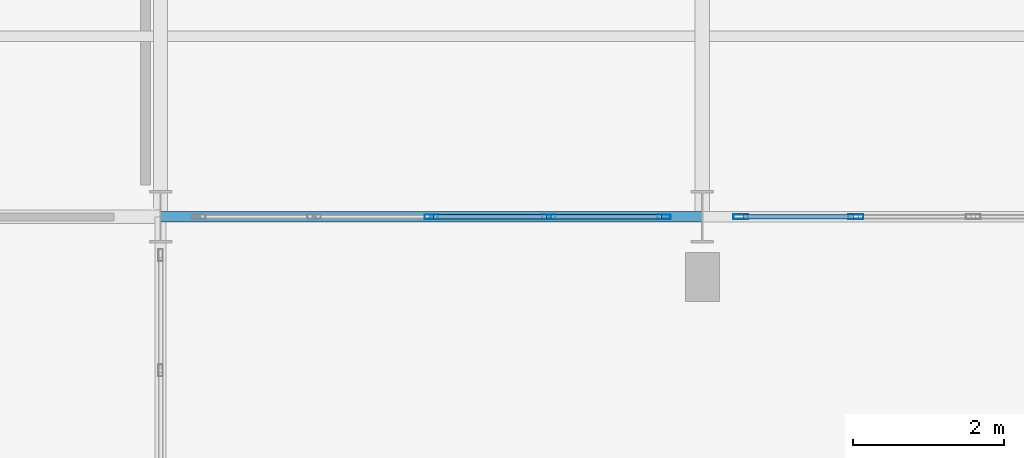
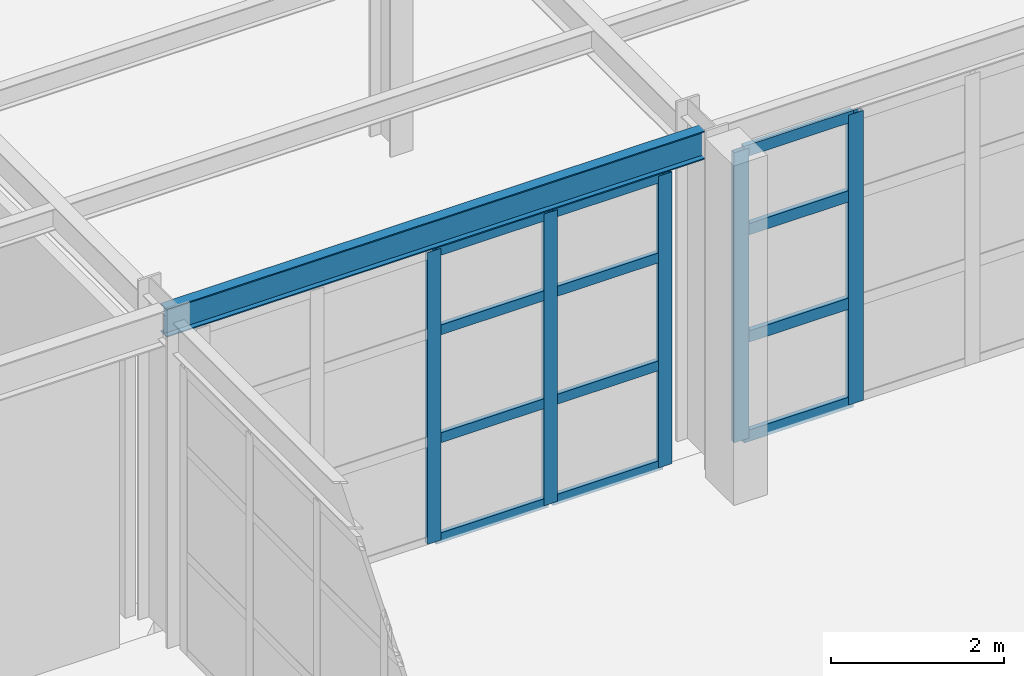
# One storey, part 24 of 83: 17 members, 1 beam, 2 elements without a shape of their own.
"""IFC4 building model written with IfcOpenShell, lengths in metres."""

import ifcopenshell
import ifcopenshell.guid

model = None  # the IFC model being written
_history = None  # IfcOwnerHistory: only IFC2X3 demands one
_inside = {}  # id of a spatial element -> (the spatial element, [elements in it])
_under = {}  # id of a project, library or spatial element -> (it, [spatial elements below it])
_declared = {}  # id of a project -> (the project, [libraries it declares])
_typed = {}  # id of a type object -> (the type object, [elements of that type])
_made_of = {}  # id of a material, layer set ... -> (it, [elements and type objects made of it])


def new_model(schema):
    """Start an empty IFC model of exactly this schema.

    Asked for "IFC4X3", IfcOpenShell would pick the latest addendum, in which some entities
    have other attributes; the version numbers below select the first issue.
    IFC2X3 requires an IfcOwnerHistory on every rooted entity: one is made here for all.
    """
    global model, _history
    if schema == "IFC4X3":
        model = ifcopenshell.file(schema_version=(4, 3, 0, 0))
    else:
        model = ifcopenshell.file(schema=schema)
    _inside.clear()
    _under.clear()
    _declared.clear()
    _typed.clear()
    _made_of.clear()
    _history = None
    if model.schema == "IFC2X3":
        org = make("IfcOrganization", Name="unknown")
        user = make(
            "IfcPersonAndOrganization",
            ThePerson=make("IfcPerson", FamilyName="unknown"),
            TheOrganization=org,
        )
        app = make(
            "IfcApplication",
            ApplicationDeveloper=org,
            Version="unknown",
            ApplicationFullName="unknown",
            ApplicationIdentifier="unknown",
        )
        _history = make(
            "IfcOwnerHistory",
            OwningUser=user,
            OwningApplication=app,
            ChangeAction="ADDED",
            CreationDate=0,
        )
    return model


def make(cls, **values):
    """One entity of the class cls with the attributes given. An attribute that is None is left unset."""
    return model.create_entity(
        cls, **{name: value for name, value in values.items() if value is not None}
    )


def rooted(cls, **values):
    """An entity with a GlobalId (a new one), such as an element, a storey or a relation."""
    return make(cls, GlobalId=ifcopenshell.guid.new(), OwnerHistory=_history, **values)


def si_unit(unit_type, name, prefix=None):
    """IfcSIUnit, for example si_unit("LENGTHUNIT", "METRE", prefix="MILLI")."""
    return make("IfcSIUnit", UnitType=unit_type, Prefix=prefix, Name=name)


def assignment(units):
    """IfcUnitAssignment: the units of a project."""
    return None if units is None else make("IfcUnitAssignment", Units=units)


def point(xyz):
    """IfcCartesianPoint."""
    return None if xyz is None else make("IfcCartesianPoint", Coordinates=xyz)


def direction(xyz):
    """IfcDirection."""
    return None if xyz is None else make("IfcDirection", DirectionRatios=xyz)


def frame(location, z_axis=None, x_axis=None):
    """IfcAxis2Placement3D, a coordinate frame: its origin and axes. An axis left out is left unset."""
    return make(
        "IfcAxis2Placement3D",
        Location=point(location),
        Axis=direction(z_axis),
        RefDirection=direction(x_axis),
    )


def frame_2d(location, x_axis=None):
    """IfcAxis2Placement2D, a coordinate frame in the plane: its origin and x axis."""
    return make(
        "IfcAxis2Placement2D", Location=point(location), RefDirection=direction(x_axis)
    )


def origin():
    """The frame at (0, 0, 0) with its axes left unset."""
    return frame((0.0, 0.0, 0.0))


def origin_2d():
    """The frame at (0, 0) in the plane with its x axis left unset."""
    return frame_2d((0.0, 0.0))


def place(relative_to, where):
    """IfcLocalPlacement: puts the frame where relative to a parent placement (None: the world)."""
    return make(
        "IfcLocalPlacement", PlacementRelTo=relative_to, RelativePlacement=where
    )


def context(
    kind, dimensions, precision=None, world=None, true_north=None, identifier=None
):
    """IfcGeometricRepresentationContext, for example the 3D "Model" context."""
    return make(
        "IfcGeometricRepresentationContext",
        ContextIdentifier=identifier,
        ContextType=kind,
        CoordinateSpaceDimension=dimensions,
        Precision=precision,
        WorldCoordinateSystem=world,
        TrueNorth=true_north,
    )


def subcontext(parent, identifier, kind, view, scale=None):
    """IfcGeometricRepresentationSubContext, for example "Body" below "Model"."""
    return make(
        "IfcGeometricRepresentationSubContext",
        ContextIdentifier=identifier,
        ContextType=kind,
        ParentContext=parent,
        TargetScale=scale,
        TargetView=view,
    )


def project(units=None, contexts=None):
    """IfcProject with its units and contexts."""
    return rooted(
        "IfcProject",
        Name="project",
        RepresentationContexts=contexts,
        UnitsInContext=assignment(units),
    )


def spatial(cls, under=None, at=None, **own):
    """A site, building, storey or space (cls), placed at a placement, below another one or the project."""
    s = rooted(cls, ObjectPlacement=at, **own)
    if under is not None:
        _under.setdefault(under.id(), (under, []))[1].append(s)
    return s


def profile(cls, at=None, kind="AREA", **sizes):
    """A parametric profile (cls). Its sizes go by their IFC names, for example OverallWidth=200.0."""
    return make(cls, ProfileType=kind, Position=at, **sizes)


def hollow_rectangle(**sizes):
    """IfcRectangleHollowProfileDef."""
    return profile("IfcRectangleHollowProfileDef", **sizes)


def i_section(**sizes):
    """IfcIShapeProfileDef."""
    return profile("IfcIShapeProfileDef", **sizes)


def extrude(swept, where, along, depth):
    """IfcExtrudedAreaSolid: the profile swept, set in the frame where, extruded along a direction by depth."""
    return make(
        "IfcExtrudedAreaSolid",
        SweptArea=swept,
        Position=where,
        ExtrudedDirection=direction(along),
        Depth=depth,
    )


def shape(context_of_items, identifier, shape_type, items):
    """IfcShapeRepresentation: the items that make up one representation, for example the "Body"."""
    return make(
        "IfcShapeRepresentation",
        ContextOfItems=context_of_items,
        RepresentationIdentifier=identifier,
        RepresentationType=shape_type,
        Items=items,
    )


def material(Name=None, Category=None):
    """IfcMaterial."""
    return make("IfcMaterial", Name=Name, Category=Category)


def layer(
    of_material, thickness, ventilated=None, Name=None, Category=None, Priority=None
):
    """IfcMaterialLayer: one layer of a wall or slab, of a material (None: an air gap)."""
    return make(
        "IfcMaterialLayer",
        Material=of_material,
        LayerThickness=thickness,
        IsVentilated=ventilated,
        Name=Name,
        Category=Category,
        Priority=Priority,
    )


def layer_set(layers, Name=None):
    """IfcMaterialLayerSet."""
    return make("IfcMaterialLayerSet", MaterialLayers=layers, LayerSetName=Name)


def material_profile(
    of_material, cross_section, Name=None, Category=None, Priority=None
):
    """IfcMaterialProfile: a cross section and its material."""
    return make(
        "IfcMaterialProfile",
        Name=Name,
        Material=of_material,
        Profile=cross_section,
        Priority=Priority,
        Category=Category,
    )


def profile_set(profiles, Name=None, composite=None):
    """IfcMaterialProfileSet."""
    return make(
        "IfcMaterialProfileSet",
        Name=Name,
        MaterialProfiles=profiles,
        CompositeProfile=composite,
    )


def made_of(thing, what):
    """Note that an element or type object is made of a material, layer set ...; save() writes the relation."""
    if what is not None:
        _made_of.setdefault(what.id(), (what, []))[1].append(thing)
    return thing


def type_object(cls, material=None, **own):
    """A type object (cls), such as IfcWallType, which elements share."""
    return made_of(rooted(cls, **own), material)


def element(
    cls,
    number,
    at=None,
    inside=None,
    cuts=None,
    type_object=None,
    material=None,
    context=None,
    identifier="Body",
    shape_type=None,
    held_by="IfcProductDefinitionShape",
    body=None,
    shapes=None,
    **own,
):
    """One element of the class cls, such as IfcWall. Its Tag is "e" and its number.

    at: its placement. inside: the storey or other place that contains it. cuts: it is an
    opening in that element (IfcRelVoidsElement). A single representation is given by context,
    identifier, shape_type and body (its items); several are given by shapes. held_by: the class
    of the entity that holds the representations. save() writes the other relations.
    """
    e = rooted(cls, Tag="e%d" % number, ObjectPlacement=at, **own)
    if body is not None:
        shapes = [shape(context, identifier, shape_type, body)]
    if shapes is not None:
        e.Representation = make(held_by, Representations=shapes)
    if inside is not None:
        _inside.setdefault(inside.id(), (inside, []))[1].append(e)
    if cuts is not None:
        rooted(
            "IfcRelVoidsElement", RelatingBuildingElement=cuts, RelatedOpeningElement=e
        )
    if type_object is not None:
        _typed.setdefault(type_object.id(), (type_object, []))[1].append(e)
    return made_of(e, material)


def aggregate(whole, parts):
    """IfcRelAggregates: a whole, such as a stair, and the parts it consists of."""
    return rooted("IfcRelAggregates", RelatingObject=whole, RelatedObjects=parts)


def save(model, path):
    """Write the relations noted so far, then the file.

    IfcRelAggregates (storeys below a building ...), IfcRelContainedInSpatialStructure (elements
    in a storey), IfcRelDefinesByType, IfcRelAssociatesMaterial and IfcRelDeclares: one each for
    every whole, place, type object, material and project.
    """
    for whole, parts in _under.values():
        aggregate(whole, parts)
    for where, things in _inside.values():
        rooted(
            "IfcRelContainedInSpatialStructure",
            RelatedElements=things,
            RelatingStructure=where,
        )
    for kind, things in _typed.values():
        rooted("IfcRelDefinesByType", RelatedObjects=things, RelatingType=kind)
    for what, things in _made_of.values():
        rooted("IfcRelAssociatesMaterial", RelatedObjects=things, RelatingMaterial=what)
    for by, libraries in _declared.values():
        rooted("IfcRelDeclares", RelatingContext=by, RelatedDefinitions=libraries)
    model.write(path)


model = new_model("IFC4")

# Units and contexts
model_context = context("Model", 3, precision=1e-05, world=origin(), true_north=direction((0.0, 1.0)))
body_context = subcontext(model_context, "Body", "Model", "MODEL_VIEW")
ifc_project = project(units=[si_unit("LENGTHUNIT", "METRE"), si_unit("AREAUNIT", "SQUARE_METRE"), si_unit("VOLUMEUNIT", "CUBIC_METRE"), si_unit("PLANEANGLEUNIT", "RADIAN"), si_unit("MASSUNIT", "GRAM", prefix="KILO")], contexts=[model_context])

# Site, building, storey
site_placement = place(None, origin())
site = spatial("IfcSite", under=ifc_project, at=site_placement, CompositionType="ELEMENT")
building_placement = place(site_placement, origin())
building = spatial("IfcBuilding", under=site, at=building_placement, Name="Solvadek Multi-Sports Hall", CompositionType="ELEMENT")
storey_placement = place(building_placement, origin())
storey = spatial("IfcBuildingStorey", under=building, at=storey_placement, Name="L00", CompositionType="ELEMENT", Elevation=0.0)

# Curtain wall, members
ifc_material_1 = material(Name="Anodised aluminium", Category="aluminium")
ifc_layer_1 = layer(ifc_material_1, 0.159912109375, Name="Anodised aluminium")
ifc_layer_set_1 = layer_set([ifc_layer_1], Name="Anodised aluminium")
curtain_wall_type_1 = type_object("IfcCurtainWallType", Name="ENV-CW-624X412", PredefinedType="USERDEFINED", material=ifc_layer_set_1)
curtain_wall_1_placement = place(storey_placement, origin())
curtain_wall_1 = element("IfcCurtainWall", 1, at=curtain_wall_1_placement, inside=storey, type_object=curtain_wall_type_1, Name="L00 Perimeter Bay Curtain Wall #155", ObjectType="CURTAIN WALL", PredefinedType="USERDEFINED")
ifc_material_profile_1 = material_profile(ifc_material_1, hollow_rectangle(XDim=0.06005859375, YDim=0.179931640625, WallThickness=0.00390625, at=origin_2d()), Name="ALU-M 180x60x4")
ifc_profile_set_1 = profile_set([ifc_material_profile_1], Name="Anodised aluminium")
member_type_1 = type_object("IfcMemberType", Name="ENV-CWM-02", PredefinedType="MULLION", material=ifc_profile_set_1)
member_1_placement = place(storey_placement, frame((25.199951171875, 49.199951171875, 0.0), z_axis=(0.0, 0.0, 1.0), x_axis=(0.0, 1.0, 0.0)))
member_1 = element("IfcMember", 2, at=member_1_placement, type_object=member_type_1, Name="CW-38 mullion 3", PredefinedType="MULLION", context=body_context, shape_type="SweptSolid", body=[
    extrude(hollow_rectangle(XDim=0.06005859375, YDim=0.179931640625, WallThickness=0.00390625, at=origin_2d()), origin(), (0.0, 0.0, 1.0), 4.125),
])
member_2_placement = place(storey_placement, frame((26.760009765625, 49.199951171875, 0.0), z_axis=(0.0, 0.0, 1.0), x_axis=(0.0, 1.0, 0.0)))
member_2 = element("IfcMember", 3, at=member_2_placement, type_object=member_type_1, Name="CW-38 mullion 4", PredefinedType="MULLION", context=body_context, shape_type="SweptSolid", body=[
    extrude(hollow_rectangle(XDim=0.06005859375, YDim=0.179931640625, WallThickness=0.00390625, at=origin_2d()), origin(), (0.0, 0.0, 1.0), 4.125),
])
member_3_placement = place(storey_placement, frame((28.2900390625, 49.199951171875, 0.0), z_axis=(0.0, 0.0, 1.0), x_axis=(0.0, 1.0, 0.0)))
member_3 = element("IfcMember", 4, at=member_3_placement, type_object=member_type_1, Name="CW-38 mullion 5", PredefinedType="MULLION", context=body_context, shape_type="SweptSolid", body=[
    extrude(hollow_rectangle(XDim=0.06005859375, YDim=0.179931640625, WallThickness=0.00390625, at=origin_2d()), origin(), (0.0, 0.0, 1.0), 4.125),
])

ifc_layer_2 = layer(ifc_material_1, 0.159912109375, Name="Anodised aluminium")
ifc_layer_set_2 = layer_set([ifc_layer_2], Name="Anodised aluminium")
curtain_wall_type_2 = type_object("IfcCurtainWallType", Name="ENV-CW-624X410", PredefinedType="USERDEFINED", material=ifc_layer_set_2)
curtain_wall_2_placement = place(storey_placement, origin())
curtain_wall_2 = element("IfcCurtainWall", 5, at=curtain_wall_2_placement, inside=storey, type_object=curtain_wall_type_2, Name="L00 Perimeter Bay Curtain Wall #161", ObjectType="CURTAIN WALL", PredefinedType="USERDEFINED")
ifc_material_profile_2 = material_profile(ifc_material_1, hollow_rectangle(XDim=0.06494140625, YDim=0.199951171875, WallThickness=0.0048828125, at=origin_2d()), Name="ALU-M 200x65x5")
ifc_profile_set_2 = profile_set([ifc_material_profile_2], Name="Anodised aluminium")
member_type_2 = type_object("IfcMemberType", Name="ENV-CWM-03", PredefinedType="MULLION", material=ifc_profile_set_2)
member_4_placement = place(storey_placement, frame((29.3125, 49.199951171875, 0.0), z_axis=(0.0, 0.0, 1.0), x_axis=(0.0, 1.0, 0.0)))
member_4 = element("IfcMember", 6, at=member_4_placement, type_object=member_type_2, Name="CW-39 mullion 1", PredefinedType="MULLION", context=body_context, shape_type="SweptSolid", body=[
    extrude(hollow_rectangle(XDim=0.06494140625, YDim=0.199951171875, WallThickness=0.0048828125, at=origin_2d()), origin(), (0.0, 0.0, 1.0), 4.10009765625),
])
member_5_placement = place(storey_placement, frame((30.840087890625, 49.199951171875, 0.0), z_axis=(0.0, 0.0, 1.0), x_axis=(0.0, 1.0, 0.0)))
member_5 = element("IfcMember", 7, at=member_5_placement, type_object=member_type_2, Name="CW-39 mullion 2", PredefinedType="MULLION", context=body_context, shape_type="SweptSolid", body=[
    extrude(hollow_rectangle(XDim=0.06494140625, YDim=0.199951171875, WallThickness=0.0048828125, at=origin_2d()), origin(), (0.0, 0.0, 1.0), 4.10009765625),
])

# Member
ifc_material_profile_3 = material_profile(ifc_material_1, hollow_rectangle(XDim=0.06005859375, YDim=0.139892578125, WallThickness=0.00390625, at=origin_2d()), Name="ALU-T 140x60x4")
ifc_profile_set_3 = profile_set([ifc_material_profile_3], Name="Anodised aluminium")
member_type_3 = type_object("IfcMemberType", Name="ENV-CWT-02", PredefinedType="USERDEFINED", material=ifc_profile_set_3)
member_6_placement = place(storey_placement, frame((25.22998046875, 49.199951171875, 0.030029296875), z_axis=(1.0, 0.0, 0.0), x_axis=(0.0, 1.0, 0.0)))
member_6 = element("IfcMember", 8, at=member_6_placement, type_object=member_type_3, Name="CW-38 transom 3.1", ObjectType="TRANSOM", PredefinedType="USERDEFINED", context=body_context, shape_type="SweptSolid", body=[
    extrude(hollow_rectangle(XDim=0.06005859375, YDim=0.139892578125, WallThickness=0.00390625, at=origin_2d()), origin(), (0.0, 0.0, 1.0), 1.5),
])

member_7_placement = place(storey_placement, frame((25.22998046875, 49.199951171875, 1.444091796875), z_axis=(1.0, 0.0, 0.0), x_axis=(0.0, 1.0, 0.0)))
member_7 = element("IfcMember", 9, at=member_7_placement, type_object=member_type_3, Name="CW-38 transom 3.2", ObjectType="TRANSOM", PredefinedType="USERDEFINED", context=body_context, shape_type="SweptSolid", body=[
    extrude(hollow_rectangle(XDim=0.06005859375, YDim=0.139892578125, WallThickness=0.00390625, at=origin_2d()), origin(), (0.0, 0.0, 1.0), 1.5),
])

member_8_placement = place(storey_placement, frame((25.22998046875, 49.199951171875, 2.969970703125), z_axis=(1.0, 0.0, 0.0), x_axis=(0.0, 1.0, 0.0)))
member_8 = element("IfcMember", 10, at=member_8_placement, type_object=member_type_3, Name="CW-38 transom 3.3", ObjectType="TRANSOM", PredefinedType="USERDEFINED", context=body_context, shape_type="SweptSolid", body=[
    extrude(hollow_rectangle(XDim=0.06005859375, YDim=0.139892578125, WallThickness=0.00390625, at=origin_2d()), origin(), (0.0, 0.0, 1.0), 1.5),
])

member_9_placement = place(storey_placement, frame((25.22998046875, 49.199951171875, 4.094970703125), z_axis=(1.0, 0.0, 0.0), x_axis=(0.0, 1.0, 0.0)))
member_9 = element("IfcMember", 11, at=member_9_placement, type_object=member_type_3, Name="CW-38 transom 3.4", ObjectType="TRANSOM", PredefinedType="USERDEFINED", context=body_context, shape_type="SweptSolid", body=[
    extrude(hollow_rectangle(XDim=0.06005859375, YDim=0.139892578125, WallThickness=0.00390625, at=origin_2d()), origin(), (0.0, 0.0, 1.0), 1.5),
])

member_10_placement = place(storey_placement, frame((26.7900390625, 49.199951171875, 0.030029296875), z_axis=(1.0, 0.0, 0.0), x_axis=(0.0, 1.0, 0.0)))
member_10 = element("IfcMember", 12, at=member_10_placement, type_object=member_type_3, Name="CW-38 transom 4.1", ObjectType="TRANSOM", PredefinedType="USERDEFINED", context=body_context, shape_type="SweptSolid", body=[
    extrude(hollow_rectangle(XDim=0.06005859375, YDim=0.139892578125, WallThickness=0.00390625, at=origin_2d()), origin(), (0.0, 0.0, 1.0), 1.469970703125),
])

member_11_placement = place(storey_placement, frame((26.7900390625, 49.199951171875, 1.444091796875), z_axis=(1.0, 0.0, 0.0), x_axis=(0.0, 1.0, 0.0)))
member_11 = element("IfcMember", 13, at=member_11_placement, type_object=member_type_3, Name="CW-38 transom 4.2", ObjectType="TRANSOM", PredefinedType="USERDEFINED", context=body_context, shape_type="SweptSolid", body=[
    extrude(hollow_rectangle(XDim=0.06005859375, YDim=0.139892578125, WallThickness=0.00390625, at=origin_2d()), origin(), (0.0, 0.0, 1.0), 1.469970703125),
])

member_12_placement = place(storey_placement, frame((26.7900390625, 49.199951171875, 2.969970703125), z_axis=(1.0, 0.0, 0.0), x_axis=(0.0, 1.0, 0.0)))
member_12 = element("IfcMember", 14, at=member_12_placement, type_object=member_type_3, Name="CW-38 transom 4.3", ObjectType="TRANSOM", PredefinedType="USERDEFINED", context=body_context, shape_type="SweptSolid", body=[
    extrude(hollow_rectangle(XDim=0.06005859375, YDim=0.139892578125, WallThickness=0.00390625, at=origin_2d()), origin(), (0.0, 0.0, 1.0), 1.469970703125),
])

member_13_placement = place(storey_placement, frame((26.7900390625, 49.199951171875, 4.094970703125), z_axis=(1.0, 0.0, 0.0), x_axis=(0.0, 1.0, 0.0)))
member_13 = element("IfcMember", 15, at=member_13_placement, type_object=member_type_3, Name="CW-38 transom 4.4", ObjectType="TRANSOM", PredefinedType="USERDEFINED", context=body_context, shape_type="SweptSolid", body=[
    extrude(hollow_rectangle(XDim=0.06005859375, YDim=0.139892578125, WallThickness=0.00390625, at=origin_2d()), origin(), (0.0, 0.0, 1.0), 1.469970703125),
])

aggregate(curtain_wall_1, [member_1, member_2, member_3, member_6, member_7, member_8, member_9, member_10, member_11, member_12, member_13])

ifc_material_profile_4 = material_profile(ifc_material_1, hollow_rectangle(XDim=0.06494140625, YDim=0.159912109375, WallThickness=0.00390625, at=origin_2d()), Name="ALU-T 160x65x4")
ifc_profile_set_4 = profile_set([ifc_material_profile_4], Name="Anodised aluminium")
member_type_4 = type_object("IfcMemberType", Name="ENV-CWT-03", PredefinedType="USERDEFINED", material=ifc_profile_set_4)
member_14_placement = place(storey_placement, frame((29.344970703125, 49.199951171875, 0.032470703125), z_axis=(1.0, 0.0, 0.0), x_axis=(0.0, 1.0, 0.0)))
member_14 = element("IfcMember", 16, at=member_14_placement, type_object=member_type_4, Name="CW-39 transom 1.1", ObjectType="TRANSOM", PredefinedType="USERDEFINED", context=body_context, shape_type="SweptSolid", body=[
    extrude(hollow_rectangle(XDim=0.06494140625, YDim=0.159912109375, WallThickness=0.00390625, at=origin_2d()), origin(), (0.0, 0.0, 1.0), 1.462646484375),
])

member_15_placement = place(storey_placement, frame((29.344970703125, 49.199951171875, 1.43505859375), z_axis=(1.0, 0.0, 0.0), x_axis=(0.0, 1.0, 0.0)))
member_15 = element("IfcMember", 17, at=member_15_placement, type_object=member_type_4, Name="CW-39 transom 1.2", ObjectType="TRANSOM", PredefinedType="USERDEFINED", context=body_context, shape_type="SweptSolid", body=[
    extrude(hollow_rectangle(XDim=0.06494140625, YDim=0.159912109375, WallThickness=0.00390625, at=origin_2d()), origin(), (0.0, 0.0, 1.0), 1.462646484375),
])

member_16_placement = place(storey_placement, frame((29.344970703125, 49.199951171875, 2.951904296875), z_axis=(1.0, 0.0, 0.0), x_axis=(0.0, 1.0, 0.0)))
member_16 = element("IfcMember", 18, at=member_16_placement, type_object=member_type_4, Name="CW-39 transom 1.3", ObjectType="TRANSOM", PredefinedType="USERDEFINED", context=body_context, shape_type="SweptSolid", body=[
    extrude(hollow_rectangle(XDim=0.06494140625, YDim=0.159912109375, WallThickness=0.00390625, at=origin_2d()), origin(), (0.0, 0.0, 1.0), 1.462646484375),
])

member_17_placement = place(storey_placement, frame((29.344970703125, 49.199951171875, 4.0673828125), z_axis=(1.0, 0.0, 0.0), x_axis=(0.0, 1.0, 0.0)))
member_17 = element("IfcMember", 19, at=member_17_placement, type_object=member_type_4, Name="CW-39 transom 1.4", ObjectType="TRANSOM", PredefinedType="USERDEFINED", context=body_context, shape_type="SweptSolid", body=[
    extrude(hollow_rectangle(XDim=0.06494140625, YDim=0.159912109375, WallThickness=0.00390625, at=origin_2d()), origin(), (0.0, 0.0, 1.0), 1.462646484375),
])

aggregate(curtain_wall_2, [member_4, member_5, member_14, member_15, member_16, member_17])

# Beam
ifc_material_2 = material(Name="Steel E350 (350 MPa)", Category="steel")
ifc_material_profile_5 = material_profile(ifc_material_2, i_section(OverallWidth=0.139892578125, OverallDepth=0.39990234375, WebThickness=0.0087890625, FlangeThickness=0.01611328125, at=origin_2d()), Name="ISMB 400")
ifc_profile_set_5 = profile_set([ifc_material_profile_5], Name="Steel E350 (350 MPa)")
beam_type = type_object("IfcBeamType", Name="STR-BM-ISMB400", PredefinedType="BEAM", material=ifc_profile_set_5)
beam_placement = place(storey_placement, frame((21.60009765625, 49.199951171875, 4.3798828125), z_axis=(1.0, 0.0, 0.0), x_axis=(0.0, 1.0, 0.0)))
element("IfcBeam", 20, at=beam_placement, inside=storey, type_object=beam_type, Name="L00 Girder B-10 #606", PredefinedType="BEAM", context=body_context, shape_type="SweptSolid", body=[
    extrude(i_section(OverallWidth=0.139892578125, OverallDepth=0.39990234375, WebThickness=0.0087890625, FlangeThickness=0.01611328125, at=origin_2d()), origin(), (0.0, 0.0, 1.0), 7.199951171875),
])

save(model, "model.ifc")
